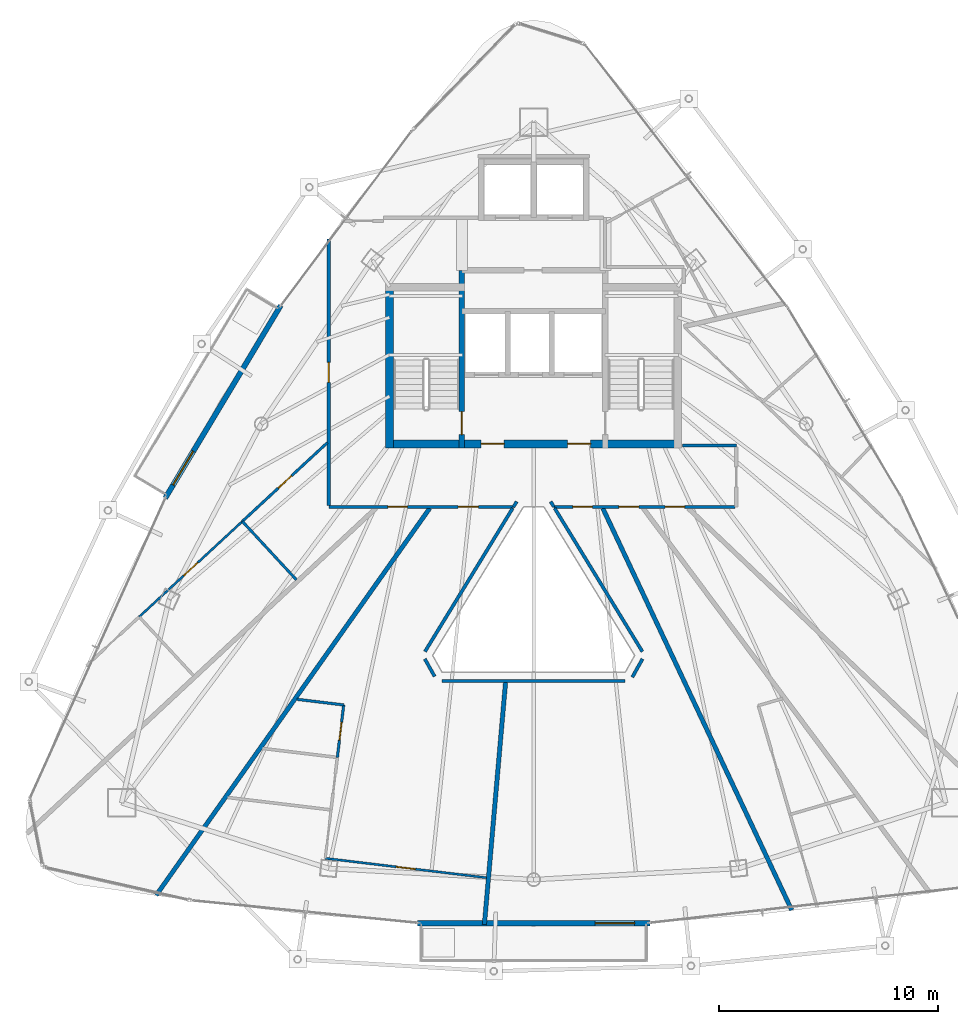
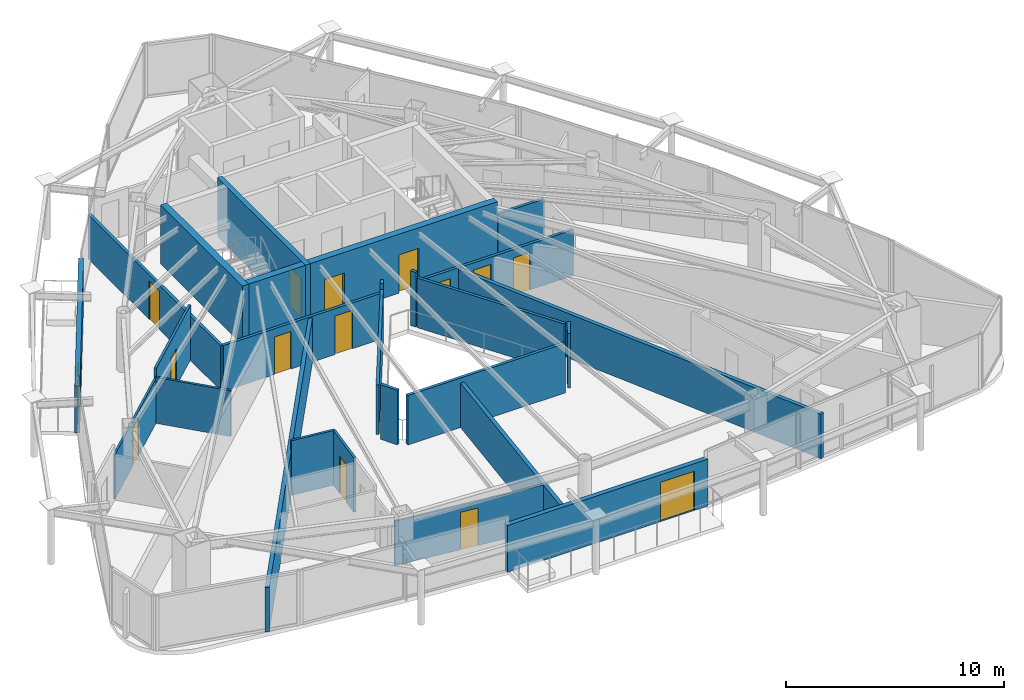
# One storey, part 27 of 32: 25 walls, 15 doors, 15 openings.
"""IFC4 building model written with IfcOpenShell, lengths in metres."""

from ifc_helpers import new_model, si_unit, direction, frame, frame_2d, origin, place, context, subcontext, project, spatial, rectangle, extrude, material, layer, layer_set, type_object, element, fill, save


model = new_model("IFC4")

# Units and contexts
model_context = context("Model", 3, precision=1e-05, world=origin(), true_north=direction((0.0, 1.0)))
body_context = subcontext(model_context, "Body", "Model", "MODEL_VIEW")
ifc_project = project(units=[si_unit("LENGTHUNIT", "METRE"), si_unit("AREAUNIT", "SQUARE_METRE"), si_unit("VOLUMEUNIT", "CUBIC_METRE"), si_unit("PLANEANGLEUNIT", "RADIAN"), si_unit("MASSUNIT", "GRAM", prefix="KILO")], contexts=[model_context])

# Site, building, storey
site_placement = place(None, origin())
site = spatial("IfcSite", under=ifc_project, at=site_placement, CompositionType="ELEMENT")
building_placement = place(site_placement, origin())
building = spatial("IfcBuilding", under=site, at=building_placement, Name="Orvanel Arch Residences", CompositionType="ELEMENT")
storey_placement = place(building_placement, frame((0.0, 0.0, 222.800048828125)))
storey = spatial("IfcBuildingStorey", under=building, at=storey_placement, Name="L63", CompositionType="ELEMENT", Elevation=222.800048828125)

# Wall, opening, door
ifc_material_1 = material(Name="Precast concrete N50 (50 MPa)", Category="concrete")
ifc_layer_1 = layer(ifc_material_1, 0.239990234375)
ifc_layer_set_1 = layer_set([ifc_layer_1], Name="Precast concrete N50 (50 MPa)")
wall_type_1 = type_object("IfcWallType", Name="EW-BAL-240", PredefinedType="SOLIDWALL", material=ifc_layer_set_1)
wall_1_placement = place(storey_placement, frame((21.4580078125, 33.0419921875, 0.0), z_axis=(0.0, 0.0, 1.0), x_axis=(-0.51433465168, -0.857589567381, 0.0)))
wall_1 = element("IfcWall", 1, at=wall_1_placement, inside=storey, type_object=wall_type_1, Name="L63 Balcony Threshold Wall Face 1", PredefinedType="SOLIDWALL", context=body_context, shape_type="SweptSolid", body=[
    extrude(rectangle(XDim=10.251953125, YDim=0.239990234375, at=frame_2d((5.1259765625, 0.0))), origin(), (0.0, 0.0, 1.0), 2.6240234375),
])
opening_1_placement = place(wall_1_placement, frame((7.75390625, 0.0, 0.0)))
opening_1 = element("IfcOpeningElement", 2, at=opening_1_placement, cuts=wall_1, Name="Opening DB-180", PredefinedType="OPENING", context=body_context, shape_type="SweptSolid", body=[
    extrude(rectangle(XDim=1.800048828125, YDim=2.199951171875, at=frame_2d((0.89990234375, 1.10009765625))), frame((0.0, 0.1298828125, 0.0), z_axis=(0.0, -1.0, 0.0), x_axis=(1.0, 0.0, 0.0)), (0.0, 0.0, 1.0), 0.260009765625),
])
ifc_material_2 = material(Name="Bronze-anodised aluminium AA6063-T6", Category="aluminium")
door_type_1 = type_object("IfcDoorType", Name="DR-BAL-1800", OperationType="NOTDEFINED", PredefinedType="DOOR", material=ifc_material_2)
door_1_placement = place(opening_1_placement, origin())
door_1 = element("IfcDoor", 3, at=door_1_placement, inside=storey, type_object=door_type_1, Name="DR-L63-BAL-F1 L63 Planted Balcony Access Door Face 1", OperationType="SINGLE_SWING_RIGHT", OverallHeight=2.199951171875, OverallWidth=1.800048828125, PredefinedType="DOOR", context=body_context, shape_type="SweptSolid", body=[
    extrude(rectangle(XDim=1.800048828125, YDim=2.199951171875, at=frame_2d((0.89990234375, 1.10009765625))), frame((0.0, 0.02490234375, 0.0), z_axis=(0.0, -1.0, 0.0), x_axis=(1.0, 0.0, 0.0)), (0.0, 0.0, 1.0), 0.050048828125),
])
fill(opening_1, door_1)

wall_2_placement = place(storey_placement, frame((27.696044921875, 4.85888671875, 0.0), z_axis=(0.0, 0.0, 1.0), x_axis=(1.0, 0.0, 0.0)))
wall_2 = element("IfcWall", 4, at=wall_2_placement, inside=storey, type_object=wall_type_1, Name="L63 Balcony Threshold Wall Face 2", PredefinedType="SOLIDWALL", context=body_context, shape_type="SweptSolid", body=[
    extrude(rectangle(XDim=10.60791015625, YDim=0.239990234375, at=frame_2d((5.303955078125, 0.0))), origin(), (0.0, 0.0, 1.0), 2.6240234375),
])
opening_2_placement = place(wall_2_placement, frame((8.10888671875, 0.0, 0.0)))
opening_2 = element("IfcOpeningElement", 5, at=opening_2_placement, cuts=wall_2, Name="Opening DB-180", PredefinedType="OPENING", context=body_context, shape_type="SweptSolid", body=[
    extrude(rectangle(XDim=1.800048828125, YDim=2.199951171875, at=frame_2d((0.89990234375, 1.10009765625))), frame((0.0, 0.1298828125, 0.0), z_axis=(0.0, -1.0, 0.0), x_axis=(1.0, 0.0, 0.0)), (0.0, 0.0, 1.0), 0.260009765625),
])
door_2_placement = place(opening_2_placement, origin())
door_2 = element("IfcDoor", 6, at=door_2_placement, inside=storey, type_object=door_type_1, Name="DR-L63-BAL-F2 L63 Planted Balcony Access Door Face 2", OperationType="SINGLE_SWING_LEFT", OverallHeight=2.199951171875, OverallWidth=1.800048828125, PredefinedType="DOOR", context=body_context, shape_type="SweptSolid", body=[
    extrude(rectangle(XDim=1.800048828125, YDim=2.199951171875, at=frame_2d((0.89990234375, 1.10009765625))), frame((0.0, 0.02490234375, 0.0), z_axis=(0.0, -1.0, 0.0), x_axis=(1.0, 0.0, 0.0)), (0.0, 0.0, 1.0), 0.050048828125),
])
fill(opening_2, door_2)

ifc_material_3 = material(Name="Concrete N50 (50 MPa)", Category="concrete")
ifc_layer_2 = layer(ifc_material_3, 0.25)
ifc_layer_set_2 = layer_set([ifc_layer_2], Name="Concrete N50 (50 MPa)")
wall_type_2 = type_object("IfcWallType", Name="SW-CORE-250", PredefinedType="SHEAR", material=ifc_layer_set_2)
wall_3_placement = place(storey_placement, frame((29.72509765625, 26.550048828125, 0.0), z_axis=(0.0, 0.0, 1.0), x_axis=(0.0, 1.0, 0.0)))
wall_3 = element("IfcWall", 7, at=wall_3_placement, inside=storey, type_object=wall_type_2, Name="L63 West Inner Core Spine Shear Wall", PredefinedType="SHEAR", context=body_context, shape_type="SweptSolid", body=[
    extrude(rectangle(XDim=8.099853515625, YDim=0.25, at=frame_2d((4.0498046875, 0.0))), origin(), (0.0, 0.0, 1.0), 3.300048828125),
])
opening_3_placement = place(wall_3_placement, frame((0.60009765625, 0.0, 0.0)))
opening_3 = element("IfcOpeningElement", 8, at=opening_3_placement, cuts=wall_3, Name="Opening DF-120", PredefinedType="OPENING", context=body_context, shape_type="SweptSolid", body=[
    extrude(rectangle(XDim=1.050048828125, YDim=2.14990234375, at=frame_2d((0.52490234375, 1.074951171875))), frame((0.0, 0.135009765625, 0.0), z_axis=(0.0, -1.0, 0.0), x_axis=(1.0, 0.0, 0.0)), (0.0, 0.0, 1.0), 0.27001953125),
])
ifc_material_4 = material(Name="Galvanised steel fire-resisting door assembly", Category="steel")
door_type_2 = type_object("IfcDoorType", Name="DR-FD120-1050", OperationType="NOTDEFINED", PredefinedType="DOOR", material=ifc_material_4)
door_3_placement = place(opening_3_placement, origin())
door_3 = element("IfcDoor", 9, at=door_3_placement, inside=storey, type_object=door_type_2, Name="DR-L63-ST1 L63 Stair 1 Fire Door", OperationType="SINGLE_SWING_LEFT", OverallHeight=2.14990234375, OverallWidth=1.050048828125, PredefinedType="DOOR", context=body_context, shape_type="SweptSolid", body=[
    extrude(rectangle(XDim=1.050048828125, YDim=2.14990234375, at=frame_2d((0.52490234375, 1.074951171875))), frame((0.0, 0.02490234375, 0.0), z_axis=(0.0, -1.0, 0.0), x_axis=(1.0, 0.0, 0.0)), (0.0, 0.0, 1.0), 0.050048828125),
])
fill(opening_3, door_3)

# Wall, openings, doors
ifc_layer_3 = layer(ifc_material_3, 0.35009765625)
ifc_layer_set_3 = layer_set([ifc_layer_3], Name="Concrete N50 (50 MPa)")
wall_type_3 = type_object("IfcWallType", Name="SW-CORE-350", PredefinedType="SHEAR", material=ifc_layer_set_3)
wall_4_placement = place(storey_placement, frame((26.25, 26.72509765625, 0.0), z_axis=(0.0, 0.0, 1.0), x_axis=(1.0, 0.0, 0.0)))
wall_4 = element("IfcWall", 10, at=wall_4_placement, inside=storey, type_object=wall_type_3, Name="L63 South Core Shear Wall", PredefinedType="SHEAR", context=body_context, shape_type="SweptSolid", body=[
    extrude(rectangle(XDim=13.5, YDim=0.35009765625, at=frame_2d((6.75, 0.0))), origin(), (0.0, 0.0, 1.0), 3.300048828125),
])
opening_4_placement = place(wall_4_placement, frame((4.35009765625, 0.0, 0.0)))
opening_4 = element("IfcOpeningElement", 11, at=opening_4_placement, cuts=wall_4, Name="Opening DF-060", PredefinedType="OPENING", context=body_context, shape_type="SweptSolid", body=[
    extrude(rectangle(XDim=1.050048828125, YDim=2.14990234375, at=frame_2d((0.52490234375, 1.074951171875))), frame((0.0, 0.18505859375, 0.0), z_axis=(0.0, -1.0, 0.0), x_axis=(1.0, 0.0, 0.0)), (0.0, 0.0, 1.0), 0.3701171875),
])
opening_5_placement = place(wall_4_placement, frame((8.300048828125, 0.0, 0.0)))
opening_5 = element("IfcOpeningElement", 12, at=opening_5_placement, cuts=wall_4, Name="Opening DF-060", PredefinedType="OPENING", context=body_context, shape_type="SweptSolid", body=[
    extrude(rectangle(XDim=1.050048828125, YDim=2.14990234375, at=frame_2d((0.52490234375, 1.074951171875))), frame((0.0, 0.18505859375, 0.0), z_axis=(0.0, -1.0, 0.0), x_axis=(1.0, 0.0, 0.0)), (0.0, 0.0, 1.0), 0.3701171875),
])
door_type_3 = type_object("IfcDoorType", Name="DR-FD60-1050", OperationType="NOTDEFINED", PredefinedType="DOOR", material=ifc_material_4)
door_4_placement = place(opening_4_placement, origin())
door_4 = element("IfcDoor", 13, at=door_4_placement, inside=storey, type_object=door_type_3, Name="DR-L63-FFL-W L63 West Smoke Lobby Door", OperationType="SINGLE_SWING_LEFT", OverallHeight=2.14990234375, OverallWidth=1.050048828125, PredefinedType="DOOR", context=body_context, shape_type="SweptSolid", body=[
    extrude(rectangle(XDim=1.050048828125, YDim=2.14990234375, at=frame_2d((0.52490234375, 1.074951171875))), frame((0.0, 0.02490234375, 0.0), z_axis=(0.0, -1.0, 0.0), x_axis=(1.0, 0.0, 0.0)), (0.0, 0.0, 1.0), 0.050048828125),
])
fill(opening_4, door_4)
door_5_placement = place(opening_5_placement, origin())
door_5 = element("IfcDoor", 14, at=door_5_placement, inside=storey, type_object=door_type_3, Name="DR-L63-FFL-E L63 East Smoke Lobby Door", OperationType="SINGLE_SWING_RIGHT", OverallHeight=2.14990234375, OverallWidth=1.050048828125, PredefinedType="DOOR", context=body_context, shape_type="SweptSolid", body=[
    extrude(rectangle(XDim=1.050048828125, YDim=2.14990234375, at=frame_2d((0.52490234375, 1.074951171875))), frame((0.0, 0.02490234375, 0.0), z_axis=(0.0, -1.0, 0.0), x_axis=(1.0, 0.0, 0.0)), (0.0, 0.0, 1.0), 0.050048828125),
])
fill(opening_5, door_5)

# Walls
wall_5_placement = place(storey_placement, frame((26.425048828125, 26.550048828125, 0.0), z_axis=(0.0, 0.0, 1.0), x_axis=(0.0, 1.0, 0.0)))
element("IfcWall", 15, at=wall_5_placement, inside=storey, type_object=wall_type_3, Name="L63 West Stair Shear Wall", PredefinedType="SHEAR", context=body_context, shape_type="SweptSolid", body=[
    extrude(rectangle(XDim=7.5, YDim=0.35009765625, at=frame_2d((3.75, 0.0))), origin(), (0.0, 0.0, 1.0), 3.300048828125),
])
ifc_material_5 = material(Name="Fire-rated plasterboard lined steel stud partition", Category="steel")
ifc_layer_4 = layer(ifc_material_5, 0.14990234375)
ifc_layer_set_4 = layer_set([ifc_layer_4], Name="Fire-rated plasterboard lined steel stud partition")
wall_type_4 = type_object("IfcWallType", Name="W-COR-150", PredefinedType="PARTITIONING", material=ifc_layer_set_4)
wall_6_placement = place(storey_placement, frame((32.22802734375, 24.093994140625, 0.0), z_axis=(0.0, 0.0, 1.0), x_axis=(-0.53643811989, -0.843939656331, 0.0)))
element("IfcWall", 16, at=wall_6_placement, inside=storey, type_object=wall_type_4, Name="L63 Corridor Fire-Rated Partition", PredefinedType="PARTITIONING", context=body_context, shape_type="SweptSolid", body=[
    extrude(rectangle(XDim=0.2890625, YDim=0.14990234375, at=frame_2d((0.14453125, 0.0))), origin(), (0.0, 0.0, 1.0), 3.06005859375),
])

# Wall, openings, doors
wall_7_placement = place(storey_placement, frame((32.072998046875, 23.85009765625, 0.0), z_axis=(0.0, 0.0, 1.0), x_axis=(-1.0, 0.0, 0.0)))
wall_7 = element("IfcWall", 17, at=wall_7_placement, inside=storey, type_object=wall_type_4, Name="L63 Corridor Fire-Rated Partition", PredefinedType="PARTITIONING", context=body_context, shape_type="SweptSolid", body=[
    extrude(rectangle(XDim=8.423095703125, YDim=0.14990234375, at=frame_2d((4.21142578125, 0.0))), origin(), (0.0, 0.0, 1.0), 2.56494140625),
])
opening_6_placement = place(wall_7_placement, frame((1.60107421875, 0.0, 0.0)))
opening_6 = element("IfcOpeningElement", 18, at=opening_6_placement, cuts=wall_7, Name="Opening DA-092", PredefinedType="OPENING", context=body_context, shape_type="SweptSolid", body=[
    extrude(rectangle(XDim=0.919921875, YDim=2.14990234375, at=frame_2d((0.4599609375, 1.074951171875))), frame((0.0, 0.0849609375, 0.0), z_axis=(0.0, -1.0, 0.0), x_axis=(1.0, 0.0, 0.0)), (0.0, 0.0, 1.0), 0.169921875),
])
opening_7_placement = place(wall_7_placement, frame((4.841064453125, 0.0, 0.0)))
opening_7 = element("IfcOpeningElement", 19, at=opening_7_placement, cuts=wall_7, Name="Opening DI-088", PredefinedType="OPENING", context=body_context, shape_type="SweptSolid", body=[
    extrude(rectangle(XDim=0.8798828125, YDim=2.10009765625, at=frame_2d((0.43994140625, 1.050048828125))), frame((0.0, 0.0849609375, 0.0), z_axis=(0.0, -1.0, 0.0), x_axis=(1.0, 0.0, 0.0)), (0.0, 0.0, 1.0), 0.169921875),
])
ifc_material_6 = material(Name="Solid-core European oak veneer fire door leaf", Category="wood")
door_type_4 = type_object("IfcDoorType", Name="DR-APT-920", OperationType="NOTDEFINED", PredefinedType="DOOR", material=ifc_material_6)
door_6_placement = place(opening_6_placement, origin())
door_6 = element("IfcDoor", 20, at=door_6_placement, inside=storey, type_object=door_type_4, Name="DR-L63-A-ENT L63 Studio A Entrance Door", OperationType="SINGLE_SWING_RIGHT", OverallHeight=2.14990234375, OverallWidth=0.919921875, PredefinedType="DOOR", context=body_context, shape_type="SweptSolid", body=[
    extrude(rectangle(XDim=0.919921875, YDim=2.14990234375, at=frame_2d((0.4599609375, 1.074951171875))), frame((0.0, 0.02490234375, 0.0), z_axis=(0.0, -1.0, 0.0), x_axis=(1.0, 0.0, 0.0)), (0.0, 0.0, 1.0), 0.050048828125),
])
fill(opening_6, door_6)
door_type_5 = type_object("IfcDoorType", Name="DR-INT-880", OperationType="NOTDEFINED", PredefinedType="DOOR", material=ifc_material_6)
door_7_placement = place(opening_7_placement, origin())
door_7 = element("IfcDoor", 21, at=door_7_placement, inside=storey, type_object=door_type_5, Name="DR-L63-SHRD-FB6 L63 Co-Working Study Office F Door", OperationType="SINGLE_SWING_LEFT", OverallHeight=2.10009765625, OverallWidth=0.8798828125, PredefinedType="DOOR", context=body_context, shape_type="SweptSolid", body=[
    extrude(rectangle(XDim=0.8798828125, YDim=2.10009765625, at=frame_2d((0.43994140625, 1.050048828125))), frame((0.0, 0.02490234375, 0.0), z_axis=(0.0, -1.0, 0.0), x_axis=(1.0, 0.0, 0.0)), (0.0, 0.0, 1.0), 0.050048828125),
])
fill(opening_7, door_7)

# Wall, opening, door
wall_8_placement = place(storey_placement, frame((23.64990234375, 23.909912109375, 0.0), z_axis=(0.0, 0.0, 1.0), x_axis=(0.0, 1.0, 0.0)))
wall_8 = element("IfcWall", 22, at=wall_8_placement, inside=storey, type_object=wall_type_4, Name="L63 Corridor Fire-Rated Partition", PredefinedType="PARTITIONING", context=body_context, shape_type="SweptSolid", body=[
    extrude(rectangle(XDim=12.1630859375, YDim=0.14990234375, at=frame_2d((6.08154296875, 0.0))), origin(), (0.0, 0.0, 1.0), 2.491943359375),
])
opening_8_placement = place(wall_8_placement, frame((5.6220703125, 0.0, 0.0)))
opening_8 = element("IfcOpeningElement", 23, at=opening_8_placement, cuts=wall_8, Name="Opening DA-092", PredefinedType="OPENING", context=body_context, shape_type="SweptSolid", body=[
    extrude(rectangle(XDim=0.919921875, YDim=2.14990234375, at=frame_2d((0.4599609375, 1.074951171875))), frame((0.0, 0.0849609375, 0.0), z_axis=(0.0, -1.0, 0.0), x_axis=(1.0, 0.0, 0.0)), (0.0, 0.0, 1.0), 0.169921875),
])
door_8_placement = place(opening_8_placement, origin())
door_8 = element("IfcDoor", 24, at=door_8_placement, inside=storey, type_object=door_type_4, Name="DR-L63-D-ENT L63 Studio D Entrance Door", OperationType="SINGLE_SWING_LEFT", OverallHeight=2.14990234375, OverallWidth=0.919921875, PredefinedType="DOOR", context=body_context, shape_type="SweptSolid", body=[
    extrude(rectangle(XDim=0.919921875, YDim=2.14990234375, at=frame_2d((0.4599609375, 1.074951171875))), frame((0.0, 0.02490234375, 0.0), z_axis=(0.0, -1.0, 0.0), x_axis=(1.0, 0.0, 0.0)), (0.0, 0.0, 1.0), 0.050048828125),
])
fill(opening_8, door_8)

# Wall
wall_9_placement = place(storey_placement, frame((39.7900390625, 26.64990234375, 0.0), z_axis=(0.0, 0.0, 1.0), x_axis=(1.0, 0.0, 0.0)))
element("IfcWall", 25, at=wall_9_placement, inside=storey, type_object=wall_type_4, Name="L63 Corridor Fire-Rated Partition", PredefinedType="PARTITIONING", context=body_context, shape_type="SweptSolid", body=[
    extrude(rectangle(XDim=2.4599609375, YDim=0.14990234375, at=frame_2d((1.22998046875, 0.0))), origin(), (0.0, 0.0, 1.0), 2.56494140625),
])

# Wall, openings, doors
wall_10_placement = place(storey_placement, frame((42.18994140625, 23.85009765625, 0.0), z_axis=(0.0, 0.0, 1.0), x_axis=(-1.0, 0.0, 0.0)))
wall_10 = element("IfcWall", 26, at=wall_10_placement, inside=storey, type_object=wall_type_4, Name="L63 Corridor Fire-Rated Partition", PredefinedType="PARTITIONING", context=body_context, shape_type="SweptSolid", body=[
    extrude(rectangle(XDim=8.262939453125, YDim=0.14990234375, at=frame_2d((4.13134765625, 0.0))), origin(), (0.0, 0.0, 1.0), 2.56494140625),
])
opening_9_placement = place(wall_10_placement, frame((6.51611328125, 0.0, 0.0)))
opening_9 = element("IfcOpeningElement", 27, at=opening_9_placement, cuts=wall_10, Name="Opening DI-088", PredefinedType="OPENING", context=body_context, shape_type="SweptSolid", body=[
    extrude(rectangle(XDim=0.8798828125, YDim=2.10009765625, at=frame_2d((0.43994140625, 1.050048828125))), frame((0.0, 0.0849609375, 0.0), z_axis=(0.0, -1.0, 0.0), x_axis=(1.0, 0.0, 0.0)), (0.0, 0.0, 1.0), 0.169921875),
])
opening_10_placement = place(wall_10_placement, frame((2.306884765625, 0.0, 0.0)))
opening_10 = element("IfcOpeningElement", 28, at=opening_10_placement, cuts=wall_10, Name="Opening DI-088", PredefinedType="OPENING", context=body_context, shape_type="SweptSolid", body=[
    extrude(rectangle(XDim=0.8798828125, YDim=2.10009765625, at=frame_2d((0.43994140625, 1.050048828125))), frame((0.0, 0.0849609375, 0.0), z_axis=(0.0, -1.0, 0.0), x_axis=(1.0, 0.0, 0.0)), (0.0, 0.0, 1.0), 0.169921875),
])
opening_11_placement = place(wall_10_placement, frame((4.384033203125, 0.0, 0.0)))
opening_11 = element("IfcOpeningElement", 29, at=opening_11_placement, cuts=wall_10, Name="Opening DA-092", PredefinedType="OPENING", context=body_context, shape_type="SweptSolid", body=[
    extrude(rectangle(XDim=0.919921875, YDim=2.14990234375, at=frame_2d((0.4599609375, 1.074951171875))), frame((0.0, 0.0849609375, 0.0), z_axis=(0.0, -1.0, 0.0), x_axis=(1.0, 0.0, 0.0)), (0.0, 0.0, 1.0), 0.169921875),
])
door_9_placement = place(opening_11_placement, origin())
door_9 = element("IfcDoor", 30, at=door_9_placement, inside=storey, type_object=door_type_4, Name="DR-L63-H-ENT L63 Studio H Entrance Door", OperationType="SINGLE_SWING_LEFT", OverallHeight=2.14990234375, OverallWidth=0.919921875, PredefinedType="DOOR", context=body_context, shape_type="SweptSolid", body=[
    extrude(rectangle(XDim=0.919921875, YDim=2.14990234375, at=frame_2d((0.4599609375, 1.074951171875))), frame((0.0, 0.02490234375, 0.0), z_axis=(0.0, -1.0, 0.0), x_axis=(1.0, 0.0, 0.0)), (0.0, 0.0, 1.0), 0.050048828125),
])
fill(opening_11, door_9)
door_10_placement = place(opening_9_placement, origin())
door_10 = element("IfcDoor", 31, at=door_10_placement, inside=storey, type_object=door_type_5, Name="DR-L63-SHRD-FB3 L63 Co-Working Study Office C Door", OperationType="SINGLE_SWING_LEFT", OverallHeight=2.10009765625, OverallWidth=0.8798828125, PredefinedType="DOOR", context=body_context, shape_type="SweptSolid", body=[
    extrude(rectangle(XDim=0.8798828125, YDim=2.10009765625, at=frame_2d((0.43994140625, 1.050048828125))), frame((0.0, 0.02490234375, 0.0), z_axis=(0.0, -1.0, 0.0), x_axis=(1.0, 0.0, 0.0)), (0.0, 0.0, 1.0), 0.050048828125),
])
fill(opening_9, door_10)
door_11_placement = place(opening_10_placement, origin())
door_11 = element("IfcDoor", 32, at=door_11_placement, inside=storey, type_object=door_type_5, Name="DR-L63-SHRD-FB7 L63 Co-Working Study Office G Door", OperationType="SINGLE_SWING_LEFT", OverallHeight=2.10009765625, OverallWidth=0.8798828125, PredefinedType="DOOR", context=body_context, shape_type="SweptSolid", body=[
    extrude(rectangle(XDim=0.8798828125, YDim=2.10009765625, at=frame_2d((0.43994140625, 1.050048828125))), frame((0.0, 0.02490234375, 0.0), z_axis=(0.0, -1.0, 0.0), x_axis=(1.0, 0.0, 0.0)), (0.0, 0.0, 1.0), 0.050048828125),
])
fill(opening_10, door_11)

# Walls
wall_11_placement = place(storey_placement, frame((33.927001953125, 23.85107421875, 0.0), z_axis=(0.0, 0.0, 1.0), x_axis=(-0.537971414128, 0.84296308198, 0.0)))
element("IfcWall", 33, at=wall_11_placement, inside=storey, type_object=wall_type_4, Name="L63 Corridor Fire-Rated Partition", PredefinedType="PARTITIONING", context=body_context, shape_type="SweptSolid", body=[
    extrude(rectangle(XDim=0.2880859375, YDim=0.14990234375, at=frame_2d((0.14404296875, 0.0))), origin(), (0.0, 0.0, 1.0), 3.06005859375),
])
wall_12_placement = place(storey_placement, frame((33.9580078125, 23.7900390625, 0.0), z_axis=(0.0, 0.0, 1.0), x_axis=(0.521949656317, -0.852976292912, 0.0)))
element("IfcWall", 34, at=wall_12_placement, inside=storey, type_object=wall_type_4, Name="L63 Atrium Overlook Glazed Partition", PredefinedType="PARTITIONING", context=body_context, shape_type="SweptSolid", body=[
    extrude(rectangle(XDim=7.667236328125, YDim=0.14990234375, at=frame_2d((3.83349609375, 0.0))), origin(), (0.0, 0.0, 1.0), 2.77294921875),
])
wall_13_placement = place(storey_placement, frame((37.966064453125, 16.9140625, 0.0), z_axis=(0.0, 0.0, 1.0), x_axis=(-0.48879868802, -0.872396608539, 0.0)))
element("IfcWall", 35, at=wall_13_placement, inside=storey, type_object=wall_type_4, Name="L63 Atrium Overlook Glazed Partition", PredefinedType="PARTITIONING", context=body_context, shape_type="SweptSolid", body=[
    extrude(rectangle(XDim=0.951416015625, YDim=0.14990234375, at=frame_2d((0.4755859375, 0.0))), origin(), (0.0, 0.0, 1.0), 3.06005859375),
])
wall_14_placement = place(storey_placement, frame((37.172119140625, 15.912109375, 0.0), z_axis=(0.0, 0.0, 1.0), x_axis=(-1.0, 0.0, 0.0)))
element("IfcWall", 36, at=wall_14_placement, inside=storey, type_object=wall_type_4, Name="L63 Atrium Overlook Glazed Partition", PredefinedType="PARTITIONING", context=body_context, shape_type="SweptSolid", body=[
    extrude(rectangle(XDim=8.34423828125, YDim=0.14990234375, at=frame_2d((4.172119140625, 0.0))), origin(), (0.0, 0.0, 1.0), 2.77294921875),
])
wall_15_placement = place(storey_placement, frame((28.47900390625, 16.116943359375, 0.0), z_axis=(0.0, 0.0, 1.0), x_axis=(-0.487503666908, 0.873120939361, 0.0)))
element("IfcWall", 37, at=wall_15_placement, inside=storey, type_object=wall_type_4, Name="L63 Atrium Overlook Glazed Partition", PredefinedType="PARTITIONING", context=body_context, shape_type="SweptSolid", body=[
    extrude(rectangle(XDim=0.912841796875, YDim=0.14990234375, at=frame_2d((0.45654296875, 0.0))), origin(), (0.0, 0.0, 1.0), 3.06005859375),
])
wall_16_placement = place(storey_placement, frame((28.0400390625, 17.25, 0.0), z_axis=(0.0, 0.0, 1.0), x_axis=(0.521949656317, 0.852976292912, 0.0)))
element("IfcWall", 38, at=wall_16_placement, inside=storey, type_object=wall_type_4, Name="L63 Atrium Overlook Glazed Partition", PredefinedType="PARTITIONING", context=body_context, shape_type="SweptSolid", body=[
    extrude(rectangle(XDim=7.667236328125, YDim=0.14990234375, at=frame_2d((3.83349609375, 0.0))), origin(), (0.0, 0.0, 1.0), 2.77294921875),
])
ifc_layer_5 = layer(ifc_material_5, 0.199951171875)
ifc_layer_set_5 = layer_set([ifc_layer_5], Name="Fire-rated plasterboard lined steel stud partition")
wall_type_5 = type_object("IfcWallType", Name="W-DEM-200", PredefinedType="PARTITIONING", material=ifc_layer_set_5)
wall_17_placement = place(storey_placement, frame((31.718017578125, 15.85205078125, 0.0), z_axis=(0.0, 0.0, 1.0), x_axis=(-0.087103117533, -0.996199300801, 0.0)))
element("IfcWall", 39, at=wall_17_placement, inside=storey, type_object=wall_type_5, Name="L63 Inter-Tenancy Acoustic Demising Wall", PredefinedType="PARTITIONING", context=body_context, shape_type="SweptSolid", body=[
    extrude(rectangle(XDim=11.102294921875, YDim=0.199951171875, at=frame_2d((5.55126953125, 0.0))), origin(), (0.0, 0.0, 1.0), 2.491943359375),
])
wall_18_placement = place(storey_placement, frame((15.77587890625, 6.132080078125, 0.0), z_axis=(0.0, 0.0, 1.0), x_axis=(0.577200381612, 0.816602546816, 0.0)))
element("IfcWall", 40, at=wall_18_placement, inside=storey, type_object=wall_type_5, Name="L63 Inter-Tenancy Acoustic Demising Wall", PredefinedType="PARTITIONING", context=body_context, shape_type="SweptSolid", body=[
    extrude(rectangle(XDim=21.623779296875, YDim=0.199951171875, at=frame_2d((10.81201171875, 0.0))), origin(), (0.0, 0.0, 1.0), 2.491943359375),
])
wall_19_placement = place(storey_placement, frame((36.155029296875, 23.7900390625, 0.0), z_axis=(0.0, 0.0, 1.0), x_axis=(0.425451226132, -0.90498135571, 0.0)))
element("IfcWall", 41, at=wall_19_placement, inside=storey, type_object=wall_type_5, Name="L63 Inter-Tenancy Acoustic Demising Wall", PredefinedType="PARTITIONING", context=body_context, shape_type="SweptSolid", body=[
    extrude(rectangle(XDim=20.265625, YDim=0.199951171875, at=frame_2d((10.1328125, 0.0))), origin(), (0.0, 0.0, 1.0), 2.491943359375),
])

# Wall, opening, door
ifc_material_7 = material(Name="Acoustic plasterboard lined twin-stud partition", Category="gypsum")
ifc_layer_6 = layer(ifc_material_7, 0.10009765625)
ifc_layer_set_6 = layer_set([ifc_layer_6], Name="Acoustic plasterboard lined twin-stud partition")
wall_type_6 = type_object("IfcWallType", Name="W-INT-100", PredefinedType="PARTITIONING", material=ifc_layer_set_6)
wall_20_placement = place(storey_placement, frame((30.85302734375, 6.930908203125, 0.0), z_axis=(0.0, 0.0, 1.0), x_axis=(-0.992840033501, 0.119451529409, 0.0)))
wall_20 = element("IfcWall", 42, at=wall_20_placement, inside=storey, type_object=wall_type_6, Name="L63 Studio A Internal Partition", PredefinedType="PARTITIONING", context=body_context, shape_type="SweptSolid", body=[
    extrude(rectangle(XDim=7.417236328125, YDim=0.10009765625, at=frame_2d((3.70849609375, 0.0))), origin(), (0.0, 0.0, 1.0), 2.491943359375),
])
opening_12_placement = place(wall_20_placement, frame((3.26904296875, 0.0, 0.0)))
opening_12 = element("IfcOpeningElement", 43, at=opening_12_placement, cuts=wall_20, Name="Opening DI-088", PredefinedType="OPENING", context=body_context, shape_type="SweptSolid", body=[
    extrude(rectangle(XDim=0.8798828125, YDim=2.10009765625, at=frame_2d((0.43994140625, 1.050048828125))), frame((0.0, 0.06005859375, 0.0), z_axis=(0.0, -1.0, 0.0), x_axis=(1.0, 0.0, 0.0)), (0.0, 0.0, 1.0), 0.1201171875),
])
door_12_placement = place(opening_12_placement, origin())
door_12 = element("IfcDoor", 44, at=door_12_placement, inside=storey, type_object=door_type_5, Name="DR-L63-A-OFC1 L63 Studio A Home Work Office 1 Door", OperationType="SINGLE_SWING_LEFT", OverallHeight=2.10009765625, OverallWidth=0.8798828125, PredefinedType="DOOR", context=body_context, shape_type="SweptSolid", body=[
    extrude(rectangle(XDim=0.8798828125, YDim=2.10009765625, at=frame_2d((0.43994140625, 1.050048828125))), frame((0.0, 0.02490234375, 0.0), z_axis=(0.0, -1.0, 0.0), x_axis=(1.0, 0.0, 0.0)), (0.0, 0.0, 1.0), 0.050048828125),
])
fill(opening_12, door_12)

wall_21_placement = place(storey_placement, frame((19.7060546875, 23.19091796875, 0.0), z_axis=(0.0, 0.0, 1.0), x_axis=(-0.733941951163, -0.679212199775, 0.0)))
wall_21 = element("IfcWall", 45, at=wall_21_placement, inside=storey, type_object=wall_type_6, Name="L63 Studio D Internal Partition", PredefinedType="PARTITIONING", context=body_context, shape_type="SweptSolid", body=[
    extrude(rectangle(XDim=6.414794921875, YDim=0.10009765625, at=frame_2d((3.20751953125, 0.0))), origin(), (0.0, 0.0, 1.0), 2.491943359375),
])
opening_13_placement = place(wall_21_placement, frame((2.76708984375, 0.0, 0.0)))
opening_13 = element("IfcOpeningElement", 46, at=opening_13_placement, cuts=wall_21, Name="Opening DI-088", PredefinedType="OPENING", context=body_context, shape_type="SweptSolid", body=[
    extrude(rectangle(XDim=0.8798828125, YDim=2.10009765625, at=frame_2d((0.43994140625, 1.050048828125))), frame((0.0, 0.06005859375, 0.0), z_axis=(0.0, -1.0, 0.0), x_axis=(1.0, 0.0, 0.0)), (0.0, 0.0, 1.0), 0.1201171875),
])
door_13_placement = place(opening_13_placement, origin())
door_13 = element("IfcDoor", 47, at=door_13_placement, inside=storey, type_object=door_type_5, Name="DR-L63-D-AME1 L63 Studio D Resident Reading Library 2 Door", OperationType="SINGLE_SWING_LEFT", OverallHeight=2.10009765625, OverallWidth=0.8798828125, PredefinedType="DOOR", context=body_context, shape_type="SweptSolid", body=[
    extrude(rectangle(XDim=0.8798828125, YDim=2.10009765625, at=frame_2d((0.43994140625, 1.050048828125))), frame((0.0, 0.02490234375, 0.0), z_axis=(0.0, -1.0, 0.0), x_axis=(1.0, 0.0, 0.0)), (0.0, 0.0, 1.0), 0.050048828125),
])
fill(opening_13, door_13)

ifc_layer_7 = layer(ifc_material_7, 0.1201171875)
ifc_layer_set_7 = layer_set([ifc_layer_7], Name="Acoustic plasterboard lined twin-stud partition")
wall_type_7 = type_object("IfcWallType", Name="W-WET-120", PredefinedType="PARTITIONING", material=ifc_layer_set_7)
wall_22_placement = place(storey_placement, frame((24.0419921875, 12.419921875, 0.0), z_axis=(0.0, 0.0, 1.0), x_axis=(0.119823599825, 0.992795197876, 0.0)))
wall_22 = element("IfcWall", 48, at=wall_22_placement, inside=storey, type_object=wall_type_7, Name="L63 Studio A Bathroom Partition", PredefinedType="PARTITIONING", context=body_context, shape_type="SweptSolid", body=[
    extrude(rectangle(XDim=2.412353515625, YDim=0.1201171875, at=frame_2d((1.2060546875, 0.0))), origin(), (0.0, 0.0, 1.0), 3.06005859375),
])
opening_14_placement = place(wall_22_placement, frame((0.7958984375, 0.0, 0.0)))
opening_14 = element("IfcOpeningElement", 49, at=opening_14_placement, cuts=wall_22, Name="Opening DW-082", PredefinedType="OPENING", context=body_context, shape_type="SweptSolid", body=[
    extrude(rectangle(XDim=0.820068359375, YDim=2.10009765625, at=frame_2d((0.41015625, 1.050048828125))), frame((0.0, 0.070068359375, 0.0), z_axis=(0.0, -1.0, 0.0), x_axis=(1.0, 0.0, 0.0)), (0.0, 0.0, 1.0), 0.14013671875),
])
door_type_6 = type_object("IfcDoorType", Name="DR-WET-820", OperationType="NOTDEFINED", PredefinedType="DOOR", material=ifc_material_6)
door_14_placement = place(opening_14_placement, origin())
door_14 = element("IfcDoor", 50, at=door_14_placement, inside=storey, type_object=door_type_6, Name="DR-L63-A-BATH L63 Studio A Bathroom Door", OperationType="SINGLE_SWING_RIGHT", OverallHeight=2.10009765625, OverallWidth=0.820068359375, PredefinedType="DOOR", context=body_context, shape_type="SweptSolid", body=[
    extrude(rectangle(XDim=0.820068359375, YDim=2.10009765625, at=frame_2d((0.41015625, 1.050048828125))), frame((0.0, 0.02490234375, 0.0), z_axis=(0.0, -1.0, 0.0), x_axis=(1.0, 0.0, 0.0)), (0.0, 0.0, 1.0), 0.050048828125),
])
fill(opening_14, door_14)

# Wall
wall_23_placement = place(storey_placement, frame((24.3310546875, 14.81494140625, 0.0), z_axis=(0.0, 0.0, 1.0), x_axis=(-0.992808897326, 0.119710038805, 0.0)))
element("IfcWall", 51, at=wall_23_placement, inside=storey, type_object=wall_type_7, Name="L63 Studio A Bathroom Partition", PredefinedType="PARTITIONING", context=body_context, shape_type="SweptSolid", body=[
    extrude(rectangle(XDim=2.1474609375, YDim=0.1201171875, at=frame_2d((1.07373046875, 0.0))), origin(), (0.0, 0.0, 1.0), 3.06005859375),
])

# Wall, opening, door
wall_24_placement = place(storey_placement, frame((23.590087890625, 26.785888671875, 0.0), z_axis=(0.0, 0.0, 1.0), x_axis=(-0.733888422473, -0.679270037143, 0.0)))
wall_24 = element("IfcWall", 52, at=wall_24_placement, inside=storey, type_object=wall_type_7, Name="L63 Studio D Bathroom Partition", PredefinedType="PARTITIONING", context=body_context, shape_type="SweptSolid", body=[
    extrude(rectangle(XDim=5.29248046875, YDim=0.1201171875, at=frame_2d((2.646240234375, 0.0))), origin(), (0.0, 0.0, 1.0), 3.06005859375),
])
opening_15_placement = place(wall_24_placement, frame((2.236083984375, 0.0, 0.0)))
opening_15 = element("IfcOpeningElement", 53, at=opening_15_placement, cuts=wall_24, Name="Opening DW-082", PredefinedType="OPENING", context=body_context, shape_type="SweptSolid", body=[
    extrude(rectangle(XDim=0.820068359375, YDim=2.10009765625, at=frame_2d((0.41015625, 1.050048828125))), frame((0.0, 0.070068359375, 0.0), z_axis=(0.0, -1.0, 0.0), x_axis=(1.0, 0.0, 0.0)), (0.0, 0.0, 1.0), 0.14013671875),
])
door_15_placement = place(opening_15_placement, origin())
door_15 = element("IfcDoor", 54, at=door_15_placement, inside=storey, type_object=door_type_6, Name="DR-L63-D-BATH L63 Studio D Bathroom Door", OperationType="SINGLE_SWING_RIGHT", OverallHeight=2.10009765625, OverallWidth=0.820068359375, PredefinedType="DOOR", context=body_context, shape_type="SweptSolid", body=[
    extrude(rectangle(XDim=0.820068359375, YDim=2.10009765625, at=frame_2d((0.41015625, 1.050048828125))), frame((0.0, 0.02490234375, 0.0), z_axis=(0.0, -1.0, 0.0), x_axis=(1.0, 0.0, 0.0)), (0.0, 0.0, 1.0), 0.050048828125),
])
fill(opening_15, door_15)

# Wall
wall_25_placement = place(storey_placement, frame((22.172119140625, 20.52587890625, 0.0), z_axis=(0.0, 0.0, 1.0), x_axis=(-0.67917603964, 0.733975413198, 0.0)))
element("IfcWall", 55, at=wall_25_placement, inside=storey, type_object=wall_type_7, Name="L63 Studio D Bathroom Partition", PredefinedType="PARTITIONING", context=body_context, shape_type="SweptSolid", body=[
    extrude(rectangle(XDim=3.630859375, YDim=0.1201171875, at=frame_2d((1.8154296875, 0.0))), origin(), (0.0, 0.0, 1.0), 2.56494140625),
])

save(model, "model.ifc")
